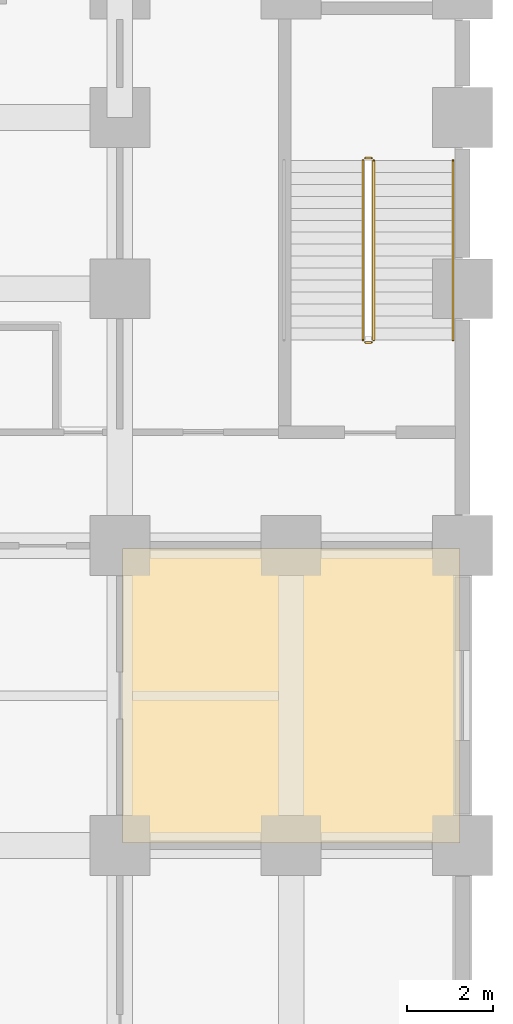
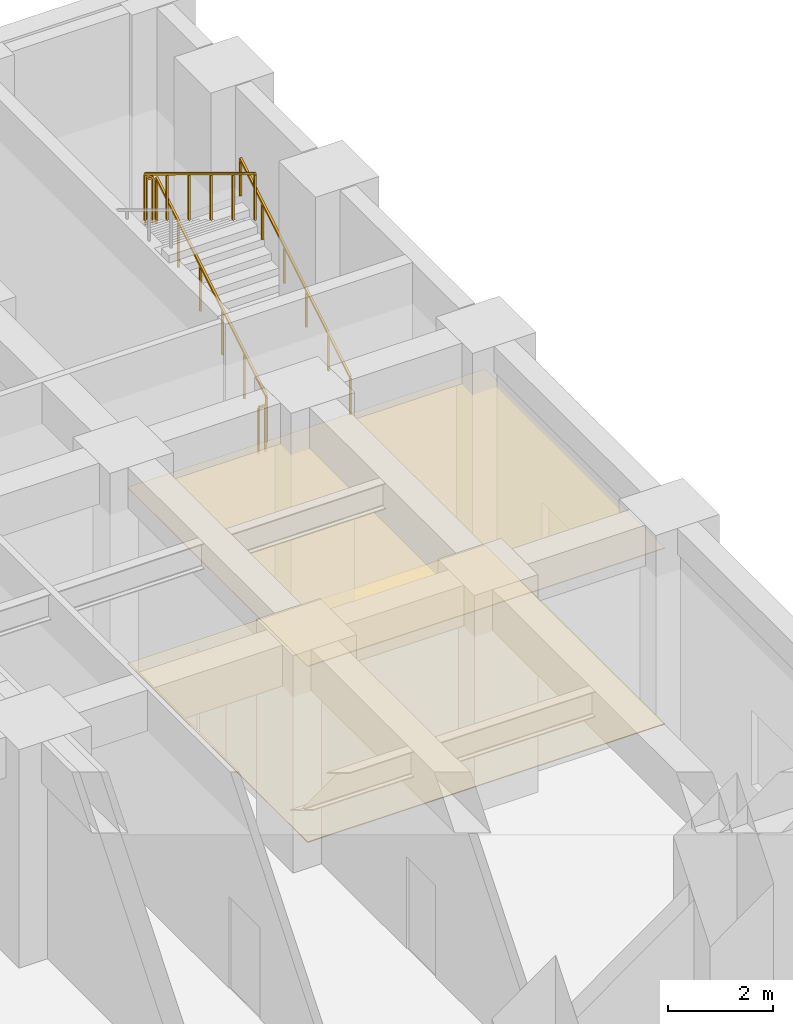
# One storey, part 23 of 23: 5 railings, 2 coverings.
"""IFC4 building model written with IfcOpenShell, lengths in metres."""

from ifc_helpers import new_model, si_unit, direction, frame, origin, origin_2d, place, context, subcontext, project, spatial, polyline, rectangle, outline, extrude, material, layer, layer_set, type_object, element, save


model = new_model("IFC4")

# Units and contexts
model_context = context("Model", 3, precision=1e-05, world=origin(), true_north=direction((0.0, 1.0)))
body_context = subcontext(model_context, "Body", "Model", "MODEL_VIEW")
ifc_project = project(units=[si_unit("LENGTHUNIT", "METRE"), si_unit("AREAUNIT", "SQUARE_METRE"), si_unit("VOLUMEUNIT", "CUBIC_METRE"), si_unit("PLANEANGLEUNIT", "RADIAN"), si_unit("MASSUNIT", "GRAM", prefix="KILO")], contexts=[model_context])

# Site, building, storey
site_placement = place(None, origin())
site = spatial("IfcSite", under=ifc_project, at=site_placement, CompositionType="ELEMENT")
building_placement = place(site_placement, origin())
building = spatial("IfcBuilding", under=site, at=building_placement, Name="Zulmaris Gate Convention Tower", CompositionType="ELEMENT")
storey_placement = place(building_placement, frame((0.0, 0.0, 10.8798828125)))
storey = spatial("IfcBuildingStorey", under=building, at=storey_placement, Name="L02", CompositionType="ELEMENT", Elevation=10.8798828125)

# Coverings
ifc_material_1 = material(Name="Mineral Fibre Acoustic Ceiling Tile")
ifc_layer_1 = layer(ifc_material_1, 0.02001953125, Name="Mineral Fibre Acoustic Ceiling Tile")
ifc_layer_set_1 = layer_set([ifc_layer_1], Name="Mineral Fibre Acoustic Ceiling Tile")
covering_type_1 = type_object("IfcCoveringType", Name="CLG-ACOUSTIC-600", PredefinedType="CEILING", material=ifc_layer_set_1)
covering_1_placement = place(storey_placement, frame((0.0, 0.0, 4.10009765625)))
element("IfcCovering", 1, at=covering_1_placement, inside=storey, type_object=covering_type_1, Name="CLG-L02-R75", PredefinedType="CEILING", context=body_context, shape_type="SweptSolid", body=[
    extrude(outline(polyline([(26.06005859375, 9.06005859375), (33.93994140625, 9.06005859375), (33.93994140625, 15.93994140625), (26.06005859375, 15.93994140625), (26.06005859375, 9.06005859375)])), origin(), (0.0, 0.0, 1.0), 0.02001953125),
])
ifc_material_2 = material(Name="Engineered Teak Parquet Flooring")
ifc_layer_2 = layer(ifc_material_2, 0.02001953125, Name="Engineered Teak Parquet Flooring")
ifc_layer_set_2 = layer_set([ifc_layer_2], Name="Engineered Teak Parquet Flooring")
covering_type_2 = type_object("IfcCoveringType", Name="FLR-TIMBER-18", PredefinedType="FLOORING", material=ifc_layer_set_2)
covering_2_placement = place(storey_placement, origin())
element("IfcCovering", 2, at=covering_2_placement, inside=storey, type_object=covering_type_2, Name="FLR-L02-R75", PredefinedType="FLOORING", context=body_context, shape_type="SweptSolid", body=[
    extrude(outline(polyline([(26.06005859375, 9.06005859375), (33.93994140625, 9.06005859375), (33.93994140625, 15.93994140625), (26.06005859375, 15.93994140625), (26.06005859375, 9.06005859375)])), origin(), (0.0, 0.0, 1.0), 0.02001953125),
])

# Railings
ifc_material_3 = material(Name="Painted Galvanised Steel", Category="steel")
railing_type_1 = type_object("IfcRailingType", Name="RL-STG-1150", PredefinedType="GUARDRAIL", material=ifc_material_3)
railing_1_placement = place(storey_placement, frame((31.929931640625, 20.800048828125, 0.169921875)))
element("IfcRailing", 3, at=railing_1_placement, inside=storey, type_object=railing_type_1, Name="L02 ST-5 stair guard 1", PredefinedType="GUARDRAIL", context=body_context, shape_type="SweptSolid", body=[
    extrude(rectangle(XDim=0.048095703125, YDim=0.048095703125, at=origin_2d()), frame((0.0, 0.0, 1.076171875), z_axis=(0.0, 0.854758387255, 0.519026106683), x_axis=(-1.0, 0.0, 0.0)), (0.0, 0.0, 1.0), 4.91357421875),
    extrude(rectangle(XDim=0.0419921875, YDim=0.0419921875, at=origin_2d()), origin(), (0.0, 0.0, 1.0), 1.052001953125),
    extrude(rectangle(XDim=0.0419921875, YDim=0.0419921875, at=origin_2d()), frame((0.0, 0.840087890625, 0.510009765625)), (0.0, 0.0, 1.0), 1.052001953125),
    extrude(rectangle(XDim=0.0419921875, YDim=0.0419921875, at=origin_2d()), frame((0.0, 1.679931640625, 1.02001953125)), (0.0, 0.0, 1.0), 1.052001953125),
    extrude(rectangle(XDim=0.0419921875, YDim=0.0419921875, at=origin_2d()), frame((0.0, 2.52001953125, 1.5302734375)), (0.0, 0.0, 1.0), 1.052001953125),
    extrude(rectangle(XDim=0.0419921875, YDim=0.0419921875, at=origin_2d()), frame((0.0, 3.35986328125, 2.040283203125)), (0.0, 0.0, 1.0), 1.052001953125),
    extrude(rectangle(XDim=0.0419921875, YDim=0.0419921875, at=origin_2d()), frame((0.0, 4.199951171875, 2.55029296875)), (0.0, 0.0, 1.0), 1.052001953125),
])
railing_2_placement = place(storey_placement, frame((31.8798828125, 25.050048828125, 2.72021484375)))
element("IfcRailing", 4, at=railing_2_placement, inside=storey, type_object=railing_type_1, Name="L02 ST-5 stair guard 2", PredefinedType="GUARDRAIL", context=body_context, shape_type="SweptSolid", body=[
    extrude(rectangle(XDim=0.048095703125, YDim=0.048095703125, at=origin_2d()), frame((0.0, 0.0, 1.076171875), z_axis=(-1.0, 0.0, 0.0), x_axis=(0.0, -1.0, 0.0)), (0.0, 0.0, 1.0), 0.14990234375),
    extrude(rectangle(XDim=0.0419921875, YDim=0.0419921875, at=origin_2d()), origin(), (0.0, 0.0, 1.0), 1.052001953125),
    extrude(rectangle(XDim=0.0419921875, YDim=0.0419921875, at=origin_2d()), frame((-0.14990234375, 0.0, 0.0)), (0.0, 0.0, 1.0), 1.052001953125),
])
railing_3_placement = place(storey_placement, frame((31.679931640625, 25.0, 2.89013671875)))
element("IfcRailing", 5, at=railing_3_placement, inside=storey, type_object=railing_type_1, Name="L02 ST-5 stair guard 3", PredefinedType="GUARDRAIL", context=body_context, shape_type="SweptSolid", body=[
    extrude(rectangle(XDim=0.048095703125, YDim=0.048095703125, at=origin_2d()), frame((0.0, 0.0, 1.076171875), z_axis=(0.0, -0.854780430106, 0.518989803665), x_axis=(1.0, 0.0, 0.0)), (0.0, 0.0, 1.0), 4.91357421875),
    extrude(rectangle(XDim=0.0419921875, YDim=0.0419921875, at=origin_2d()), origin(), (0.0, 0.0, 1.0), 1.052001953125),
    extrude(rectangle(XDim=0.0419921875, YDim=0.0419921875, at=origin_2d()), frame((0.0, -0.840087890625, 0.510009765625)), (0.0, 0.0, 1.0), 1.052001953125),
    extrude(rectangle(XDim=0.0419921875, YDim=0.0419921875, at=origin_2d()), frame((0.0, -1.679931640625, 1.02001953125)), (0.0, 0.0, 1.0), 1.052001953125),
    extrude(rectangle(XDim=0.0419921875, YDim=0.0419921875, at=origin_2d()), frame((0.0, -2.52001953125, 1.530029296875)), (0.0, 0.0, 1.0), 1.052001953125),
    extrude(rectangle(XDim=0.0419921875, YDim=0.0419921875, at=origin_2d()), frame((0.0, -3.35986328125, 2.0400390625)), (0.0, 0.0, 1.0), 1.052001953125),
    extrude(rectangle(XDim=0.0419921875, YDim=0.0419921875, at=origin_2d()), frame((0.0, -4.199951171875, 2.550048828125)), (0.0, 0.0, 1.0), 1.052001953125),
])
railing_4_placement = place(storey_placement, frame((31.8798828125, 20.75, 0.0)))
element("IfcRailing", 6, at=railing_4_placement, inside=storey, type_object=railing_type_1, Name="L02 ST-5 stair guard 4", PredefinedType="GUARDRAIL", context=body_context, shape_type="SweptSolid", body=[
    extrude(rectangle(XDim=0.048095703125, YDim=0.048095703125, at=origin_2d()), frame((0.0, 0.0, 1.076171875), z_axis=(-1.0, 0.0, 0.0), x_axis=(0.0, -1.0, 0.0)), (0.0, 0.0, 1.0), 0.14990234375),
    extrude(rectangle(XDim=0.0419921875, YDim=0.0419921875, at=origin_2d()), origin(), (0.0, 0.0, 1.0), 1.052001953125),
    extrude(rectangle(XDim=0.0419921875, YDim=0.0419921875, at=origin_2d()), frame((-0.14990234375, 0.0, 0.0)), (0.0, 0.0, 1.0), 1.052001953125),
])
ifc_material_4 = material(Name="Brushed Stainless Steel", Category="steel")
railing_type_2 = type_object("IfcRailingType", Name="RL-STH-900", PredefinedType="HANDRAIL", material=ifc_material_4)
railing_5_placement = place(storey_placement, frame((33.780029296875, 20.800048828125, 0.169921875)))
element("IfcRailing", 7, at=railing_5_placement, inside=storey, type_object=railing_type_2, Name="L02 ST-5 stair handrail 1", PredefinedType="HANDRAIL", context=body_context, shape_type="SweptSolid", body=[
    extrude(rectangle(XDim=0.048095703125, YDim=0.048095703125, at=origin_2d()), frame((0.0, 0.0, 0.8759765625), z_axis=(0.0, 0.854758387255, 0.519026106683), x_axis=(-1.0, 0.0, 0.0)), (0.0, 0.0, 1.0), 4.91357421875),
    extrude(rectangle(XDim=0.0419921875, YDim=0.0419921875, at=origin_2d()), origin(), (0.0, 0.0, 1.0), 0.851806640625),
    extrude(rectangle(XDim=0.0419921875, YDim=0.0419921875, at=origin_2d()), frame((0.0, 0.840087890625, 0.510009765625)), (0.0, 0.0, 1.0), 0.851806640625),
    extrude(rectangle(XDim=0.0419921875, YDim=0.0419921875, at=origin_2d()), frame((0.0, 1.679931640625, 1.02001953125)), (0.0, 0.0, 1.0), 0.851806640625),
    extrude(rectangle(XDim=0.0419921875, YDim=0.0419921875, at=origin_2d()), frame((0.0, 2.52001953125, 1.5302734375)), (0.0, 0.0, 1.0), 0.851806640625),
    extrude(rectangle(XDim=0.0419921875, YDim=0.0419921875, at=origin_2d()), frame((0.0, 3.35986328125, 2.040283203125)), (0.0, 0.0, 1.0), 0.851806640625),
    extrude(rectangle(XDim=0.0419921875, YDim=0.0419921875, at=origin_2d()), frame((0.0, 4.199951171875, 2.55029296875)), (0.0, 0.0, 1.0), 0.851806640625),
])

save(model, "model.ifc")
